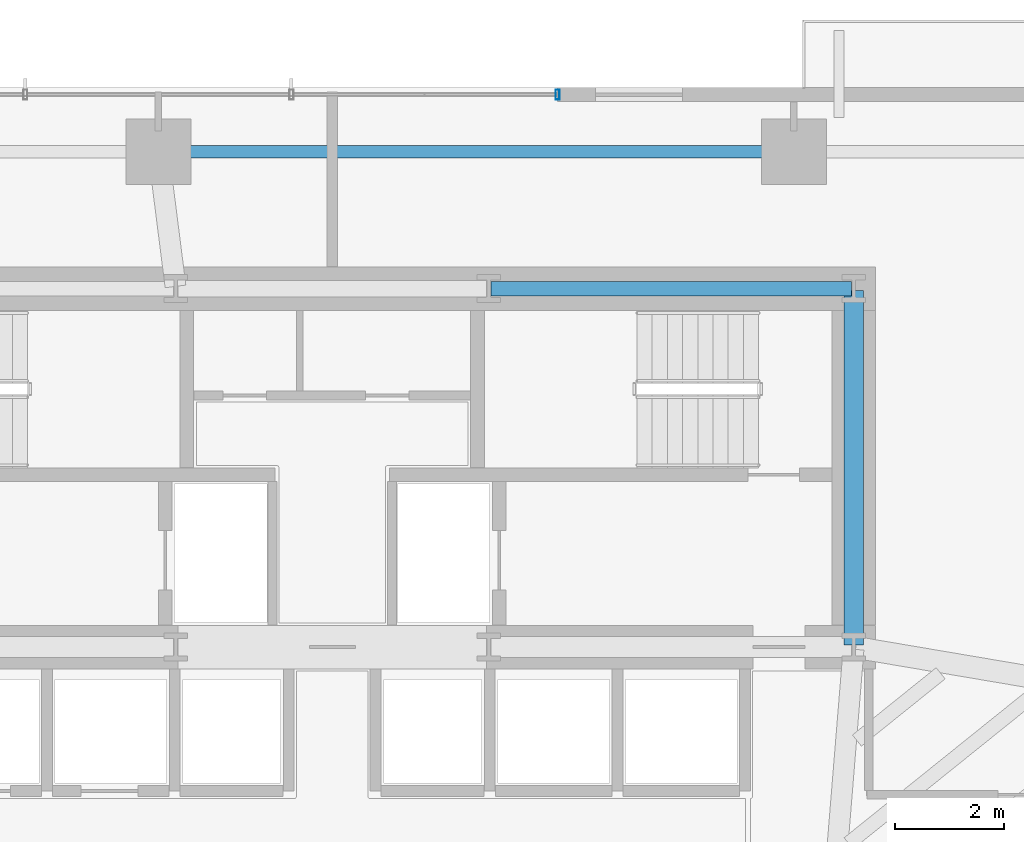
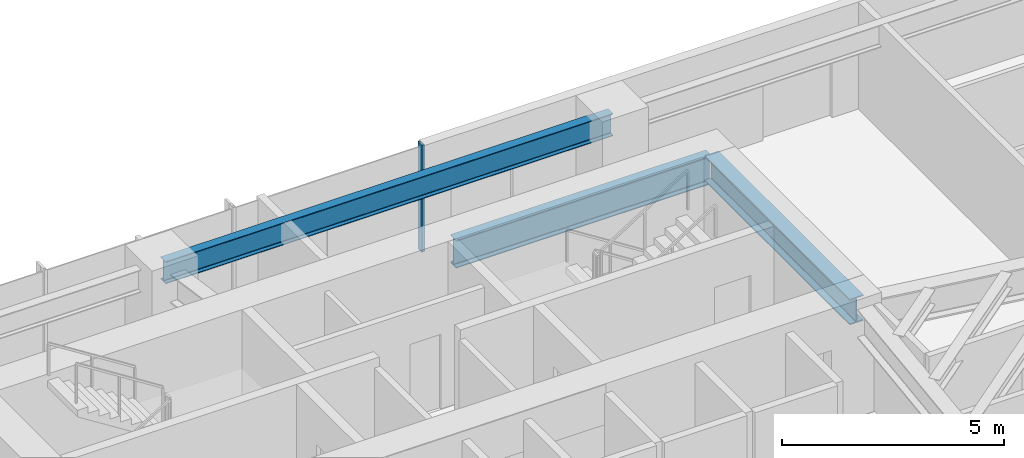
# One storey, part 15 of 25: 3 beams, 1 member, 1 element without a shape of its own.
"""IFC4 building model written with IfcOpenShell, lengths in metres."""

from ifc_helpers import new_model, si_unit, direction, frame, origin, origin_2d, place, context, subcontext, project, spatial, hollow_rectangle, i_section, extrude, source, transform, mapped, material, material_profile, profile_set, type_object, type_shapes, element, aggregate, save


model = new_model("IFC4")

# Units and contexts
model_context = context("Model", 3, precision=1e-05, world=origin(), true_north=direction((0.0, 1.0)))
body_context = subcontext(model_context, "Body", "Model", "MODEL_VIEW")
ifc_project = project(units=[si_unit("LENGTHUNIT", "METRE"), si_unit("AREAUNIT", "SQUARE_METRE"), si_unit("VOLUMEUNIT", "CUBIC_METRE"), si_unit("PLANEANGLEUNIT", "RADIAN"), si_unit("MASSUNIT", "GRAM", prefix="KILO")], contexts=[model_context])

# Site, building, storey
site_placement = place(None, origin())
site = spatial("IfcSite", under=ifc_project, at=site_placement, CompositionType="ELEMENT")
building_placement = place(site_placement, origin())
building = spatial("IfcBuilding", under=site, at=building_placement, Name="Astriad Promenade Condominiums", CompositionType="ELEMENT")
storey_placement = place(building_placement, frame((0.0, 0.0, 58.199951171875)))
storey = spatial("IfcBuildingStorey", under=building, at=storey_placement, Name="L16", CompositionType="ELEMENT", Elevation=58.199951171875)

# Beams
ifc_material_1 = material(Name="Steel ASTM A992 Grade 50", Category="steel")
ifc_material_profile_1 = material_profile(ifc_material_1, i_section(OverallWidth=0.267822265625, OverallDepth=0.76953125, WebThickness=0.015625, FlangeThickness=0.025390625, FilletRadius=0.021484375, at=origin_2d()), Name="W30X132")
ifc_profile_set_1 = profile_set([ifc_material_profile_1], Name="Steel ASTM A992 Grade 50")
beam_type_1 = type_object("IfcBeamType", Name="STEEL FLOOR GIRDER W30X132", PredefinedType="BEAM", material=ifc_profile_set_1)
shared_shape_1 = source(origin(), body_context, "Body", "SweptSolid", [
    extrude(i_section(OverallWidth=0.267822265625, OverallDepth=0.76953125, WebThickness=0.015625, FlangeThickness=0.025390625, FilletRadius=0.021484375, at=origin_2d()), origin(), (0.0, 0.0, 1.0), 6.64013671875),
])
type_shapes(beam_type_1, [shared_shape_1])
beam_1_placement = place(storey_placement, frame((38.919921875, 24.0, 2.55517578125), z_axis=(1.0, 0.0, 0.0), x_axis=(0.0, 1.0, 0.0)))
element("IfcBeam", 1, at=beam_1_placement, inside=storey, type_object=beam_type_1, Name="Core Ring Beam CG-N3-L16", PredefinedType="BEAM", context=body_context, shape_type="MappedRepresentation", body=[
    mapped(shared_shape_1, transform((0.0, 0.0, 0.0), scale=1.0)),
])
ifc_material_profile_2 = material_profile(ifc_material_1, i_section(OverallWidth=0.35791015625, OverallDepth=0.706298828125, WebThickness=0.018310546875, FlangeThickness=0.0302734375, FilletRadius=0.020263671875, at=origin_2d()), Name="W27X178")
ifc_profile_set_2 = profile_set([ifc_material_profile_2], Name="Steel ASTM A992 Grade 50")
beam_type_2 = type_object("IfcBeamType", Name="STEEL FLOOR GIRDER W27X178", PredefinedType="BEAM", material=ifc_profile_set_2)
shared_shape_2 = source(origin(), body_context, "Body", "SweptSolid", [
    extrude(i_section(OverallWidth=0.35791015625, OverallDepth=0.706298828125, WebThickness=0.018310546875, FlangeThickness=0.0302734375, FilletRadius=0.020263671875, at=origin_2d()), origin(), (0.0, 0.0, 1.0), 6.52001953125),
])
type_shapes(beam_type_2, [shared_shape_2])
beam_2_placement = place(storey_placement, frame((45.60009765625, 17.43994140625, 2.5869140625), z_axis=(0.0, 1.0, 0.0), x_axis=(-1.0, 0.0, 0.0)))
element("IfcBeam", 2, at=beam_2_placement, inside=storey, type_object=beam_type_2, Name="Core Ring Beam CG-E1-L16", PredefinedType="BEAM", context=body_context, shape_type="MappedRepresentation", body=[
    mapped(shared_shape_2, transform((0.0, 0.0, 0.0), scale=1.0)),
])
ifc_material_profile_3 = material_profile(ifc_material_1, i_section(OverallWidth=0.22900390625, OverallDepth=0.612060546875, WebThickness=0.011962890625, FlangeThickness=0.01953125, FilletRadius=0.017822265625, at=origin_2d()), Name="W24X84")
ifc_profile_set_3 = profile_set([ifc_material_profile_3], Name="Steel ASTM A992 Grade 50")
beam_type_3 = type_object("IfcBeamType", Name="STEEL SPANDREL BEAM W24X84", PredefinedType="SPANDREL", material=ifc_profile_set_3)
shared_shape_3 = source(origin(), body_context, "Body", "SweptSolid", [
    extrude(i_section(OverallWidth=0.22900390625, OverallDepth=0.612060546875, WebThickness=0.011962890625, FlangeThickness=0.01953125, FilletRadius=0.017822265625, at=origin_2d()), origin(), (0.0, 0.0, 1.0), 11.619873046875),
])
type_shapes(beam_type_3, [shared_shape_3])
beam_3_placement = place(storey_placement, frame((44.4599609375, 26.52001953125, 2.634033203125), z_axis=(-1.0, 0.0, 0.0), x_axis=(0.0, -1.0, 0.0)))
element("IfcBeam", 3, at=beam_3_placement, inside=storey, type_object=beam_type_3, Name="Perimeter Spandrel Beam SP-N3-L16", PredefinedType="SPANDREL", context=body_context, shape_type="MappedRepresentation", body=[
    mapped(shared_shape_3, transform((0.0, 0.0, 0.0), scale=1.0)),
])

# Curtain wall, member
ifc_material_2 = material(Name="Anodised aluminium Black Dark Glass Unitised", Category="aluminium")
curtain_wall_type = type_object("IfcCurtainWallType", Name="CW-B1-DARK", PredefinedType="USERDEFINED", material=ifc_material_2)
curtain_wall_placement = place(storey_placement, origin())
curtain_wall = element("IfcCurtainWall", 4, at=curtain_wall_placement, inside=storey, type_object=curtain_wall_type, Name="CW-L16-N", ObjectType="UNITISED_CURTAIN_WALL", PredefinedType="USERDEFINED")
ifc_material_3 = material(Name="Anodised aluminium 6063-T6 Black", Category="aluminium")
ifc_material_profile_4 = material_profile(ifc_material_3, hollow_rectangle(XDim=0.074951171875, YDim=0.18505859375, WallThickness=0.00439453125, at=origin_2d()), Name="ALU-MUL-75X185")
ifc_profile_set_4 = profile_set([ifc_material_profile_4], Name="Anodised aluminium 6063-T6 Black")
member_type = type_object("IfcMemberType", Name="MUL-ALU-MUL-75X185", PredefinedType="MULLION", material=ifc_profile_set_4)
shared_shape_4 = source(origin(), body_context, "Body", "SweptSolid", [
    extrude(hollow_rectangle(XDim=0.074951171875, YDim=0.18505859375, WallThickness=0.00439453125, at=origin_2d()), origin(), (0.0, 0.0, 1.0), 2.93994140625),
])
type_shapes(member_type, [shared_shape_4])
member_placement = place(storey_placement, frame((40.14990234375, 27.570068359375, 0.0), z_axis=(0.0, 0.0, 1.0), x_axis=(1.0, 0.0, 0.0)))
member = element("IfcMember", 5, at=member_placement, type_object=member_type, Name="CW-L16-N-MUL-03", PredefinedType="MULLION", context=body_context, shape_type="MappedRepresentation", body=[
    mapped(shared_shape_4, transform((0.0, 0.0, 0.0), scale=1.0)),
])
aggregate(curtain_wall, [member])

save(model, "model.ifc")
